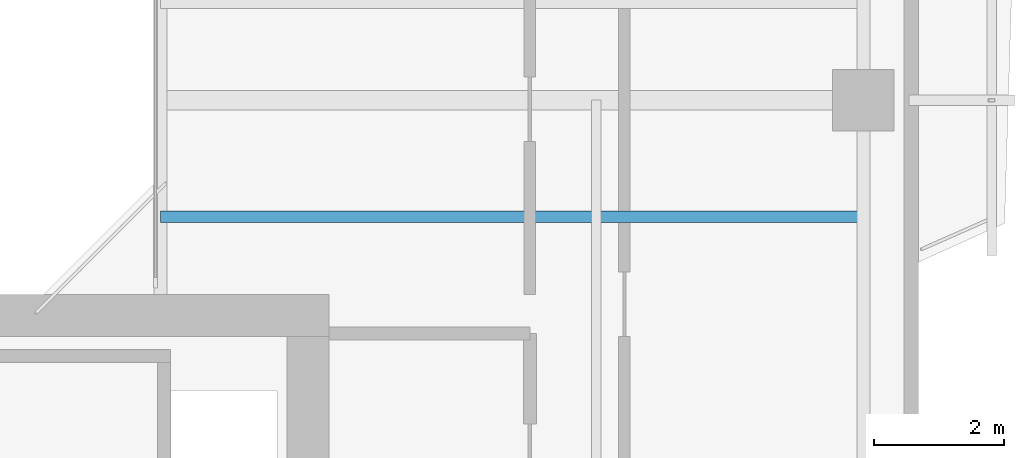
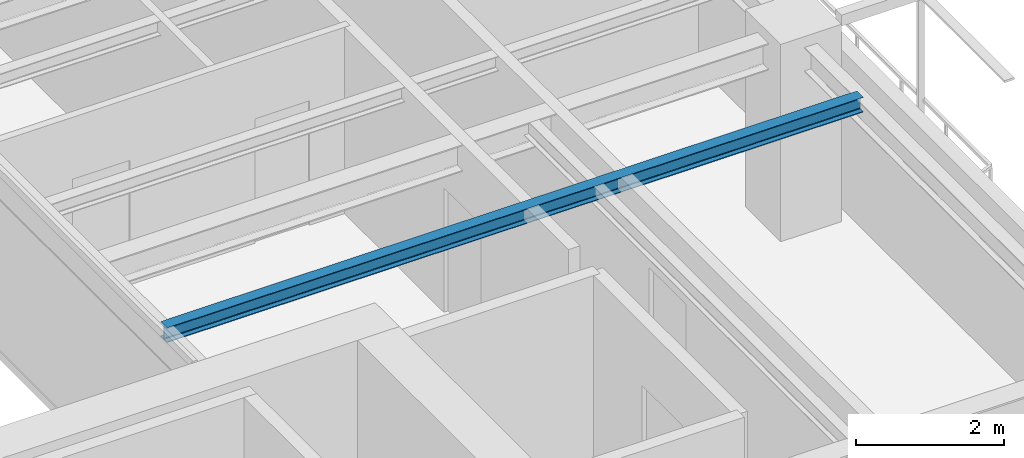
# One storey, part 3 of 17: 1 beam.
"""IFC4 building model written with IfcOpenShell, lengths in metres."""

from ifc_helpers import new_model, si_unit, direction, frame, origin, origin_2d, place, context, subcontext, project, spatial, i_section, extrude, source, transform, mapped, material, material_profile, profile_set, type_object, element, save


model = new_model("IFC4")

# Units and contexts
model_context = context("Model", 3, precision=1e-05, world=origin(), true_north=direction((0.0, 1.0)))
body_context = subcontext(model_context, "Body", "Model", "MODEL_VIEW")
ifc_project = project(units=[si_unit("LENGTHUNIT", "METRE"), si_unit("AREAUNIT", "SQUARE_METRE"), si_unit("VOLUMEUNIT", "CUBIC_METRE"), si_unit("PLANEANGLEUNIT", "RADIAN"), si_unit("MASSUNIT", "GRAM", prefix="KILO"), si_unit("THERMODYNAMICTEMPERATUREUNIT", "KELVIN"), si_unit("POWERUNIT", "WATT")], contexts=[model_context])

# Site, building, storey
site_placement = place(None, origin())
site = spatial("IfcSite", under=ifc_project, at=site_placement, CompositionType="ELEMENT")
building_placement = place(site_placement, origin())
building = spatial("IfcBuilding", under=site, at=building_placement, Name="Qiaomeng Ring Towers", CompositionType="ELEMENT")
storey_placement = place(building_placement, frame((0.0, 0.0, 150.25)))
storey = spatial("IfcBuildingStorey", under=building, at=storey_placement, Name="L43", CompositionType="ELEMENT", Elevation=150.25)

# Beam
ifc_material = material(Name="Steel Q355B", Category="steel")
ifc_material_profile = material_profile(ifc_material, i_section(OverallWidth=0.175048828125, OverallDepth=0.243896484375, WebThickness=0.007080078125, FlangeThickness=0.010986328125, FilletRadius=0.01611328125, at=origin_2d()), Name="HM 244x175x7x11")
ifc_profile_set = profile_set([ifc_material_profile], Name="Steel Q355B")
beam_type = type_object("IfcBeamType", Name="STR-BM-HM244", PredefinedType="JOIST", material=ifc_profile_set)
shared_shape = source(origin(), body_context, "Body", "SweptSolid", [
    extrude(i_section(OverallWidth=0.175048828125, OverallDepth=0.243896484375, WebThickness=0.007080078125, FlangeThickness=0.010986328125, FilletRadius=0.01611328125, at=origin_2d()), origin(), (0.0, 0.0, 1.0), 10.85009765625),
])
beam_placement = place(storey_placement, frame((25.199951171875, 18.199951171875, 2.947998046875), z_axis=(1.0, 0.0, 0.0), x_axis=(0.0, 1.0, 0.0)))
element("IfcBeam", 1, at=beam_placement, inside=storey, type_object=beam_type, Name="L43 beam STR-JST-L43-T1E-1", PredefinedType="JOIST", context=body_context, shape_type="MappedRepresentation", body=[
    mapped(shared_shape, transform((0.0, 0.0, 0.0), x_axis=(1.0, 0.0, 0.0), y_axis=(0.0, 1.0, 0.0), z_axis=(0.0, 0.0, 1.0), scale=1.0)),
])

save(model, "model.ifc")
